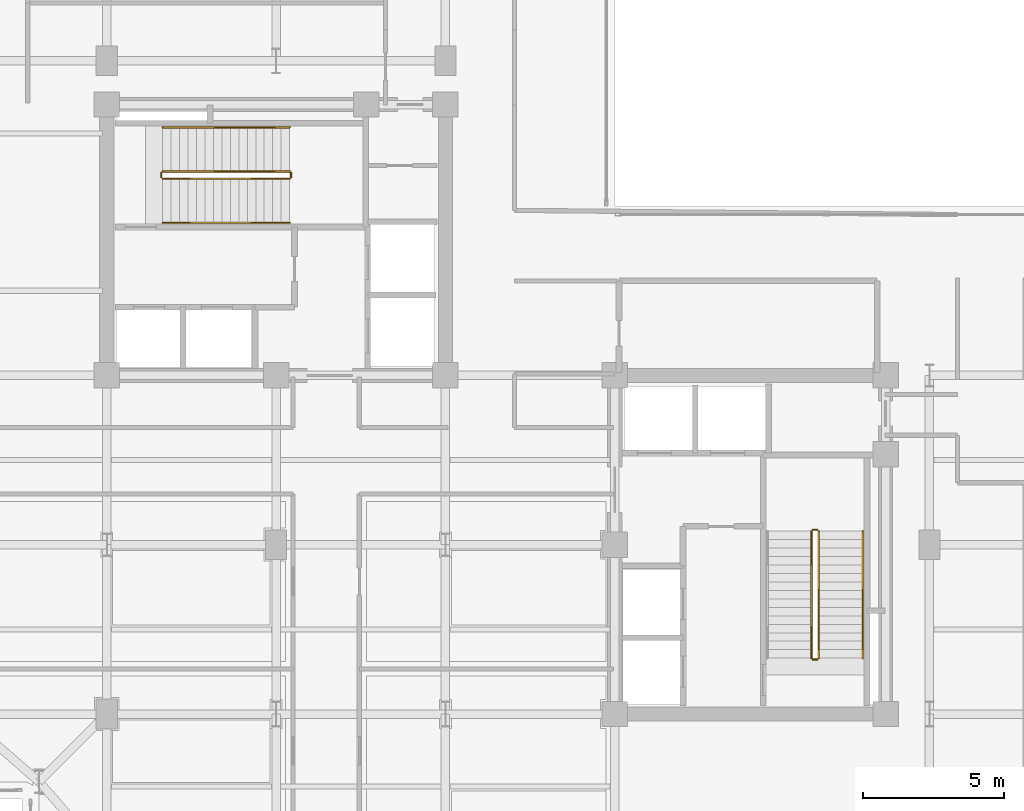
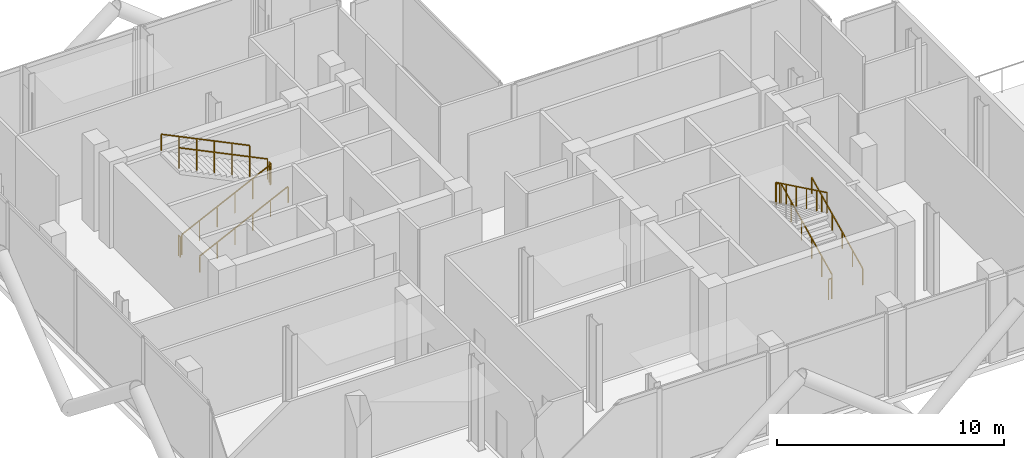
# One storey, part 18 of 19: 11 railings.
"""IFC4 building model written with IfcOpenShell, lengths in metres."""

from ifc_helpers import new_model, si_unit, direction, frame, origin, origin_2d, place, context, subcontext, project, spatial, rectangle, extrude, material, type_object, element, save


model = new_model("IFC4")

# Units and contexts
model_context = context("Model", 3, precision=1e-05, world=origin(), true_north=direction((0.0, 1.0)))
body_context = subcontext(model_context, "Body", "Model", "MODEL_VIEW")
ifc_project = project(units=[si_unit("LENGTHUNIT", "METRE"), si_unit("AREAUNIT", "SQUARE_METRE"), si_unit("VOLUMEUNIT", "CUBIC_METRE"), si_unit("PLANEANGLEUNIT", "RADIAN"), si_unit("MASSUNIT", "GRAM", prefix="KILO"), si_unit("THERMODYNAMICTEMPERATUREUNIT", "KELVIN"), si_unit("POWERUNIT", "WATT")], contexts=[model_context])

# Site, building, storey
site_placement = place(None, origin())
site = spatial("IfcSite", under=ifc_project, at=site_placement, CompositionType="ELEMENT")
building_placement = place(site_placement, origin())
building = spatial("IfcBuilding", under=site, at=building_placement, Name="Svarakhadi Broadcast Tower", CompositionType="ELEMENT")
storey_placement = place(building_placement, frame((0.0, 0.0, 204.0)))
storey = spatial("IfcBuildingStorey", under=building, at=storey_placement, Name="L50", CompositionType="ELEMENT", Elevation=204.0)

# Railings
ifc_material = material(Name="Anodised Bronze Aluminium AA 6063-T6", Category="aluminium")
railing_type_1 = type_object("IfcRailingType", Name="Guard_Stair_GR01", PredefinedType="GUARDRAIL", material=ifc_material)
railing_1_placement = place(storey_placement, frame((7.97998046875, 24.969970703125, 0.145263671875)))
element("IfcRailing", 1, at=railing_1_placement, inside=storey, type_object=railing_type_1, Name="L50 ST-01 stair guard 1", PredefinedType="GUARDRAIL", context=body_context, shape_type="SweptSolid", body=[
    extrude(rectangle(XDim=0.048095703125, YDim=0.048095703125, at=origin_2d()), frame((0.0, 0.0, 1.09619140625), z_axis=(0.899981323824, 0.0, 0.435928453727), x_axis=(0.0, 1.0, 0.0)), (0.0, 0.0, 1.0), 5.0),
    extrude(rectangle(XDim=0.0419921875, YDim=0.0419921875, at=origin_2d()), origin(), (0.0, 0.0, 1.0), 1.072021484375),
    extrude(rectangle(XDim=0.0419921875, YDim=0.0419921875, at=origin_2d()), frame((0.89990234375, 0.0, 0.43603515625)), (0.0, 0.0, 1.0), 1.072021484375),
    extrude(rectangle(XDim=0.0419921875, YDim=0.0419921875, at=origin_2d()), frame((1.800048828125, 0.0, 0.871826171875)), (0.0, 0.0, 1.0), 1.072021484375),
    extrude(rectangle(XDim=0.0419921875, YDim=0.0419921875, at=origin_2d()), frame((2.699951171875, 0.0, 1.307861328125)), (0.0, 0.0, 1.0), 1.072021484375),
    extrude(rectangle(XDim=0.0419921875, YDim=0.0419921875, at=origin_2d()), frame((3.60009765625, 0.0, 1.74365234375)), (0.0, 0.0, 1.0), 1.072021484375),
    extrude(rectangle(XDim=0.0419921875, YDim=0.0419921875, at=origin_2d()), frame((4.5, 0.0, 2.1796875)), (0.0, 0.0, 1.0), 1.072021484375),
])
railing_2_placement = place(storey_placement, frame((12.530029296875, 25.02001953125, 2.324951171875)))
element("IfcRailing", 2, at=railing_2_placement, inside=storey, type_object=railing_type_1, Name="L50 ST-01 stair guard 2", PredefinedType="GUARDRAIL", context=body_context, shape_type="SweptSolid", body=[
    extrude(rectangle(XDim=0.048095703125, YDim=0.048095703125, at=origin_2d()), frame((0.0, 0.0, 1.09619140625), z_axis=(0.0, 1.0, 0.0), x_axis=(-1.0, 0.0, 0.0)), (0.0, 0.0, 1.0), 0.159912109375),
    extrude(rectangle(XDim=0.0419921875, YDim=0.0419921875, at=origin_2d()), origin(), (0.0, 0.0, 1.0), 1.072021484375),
    extrude(rectangle(XDim=0.0419921875, YDim=0.0419921875, at=origin_2d()), frame((0.0, 0.159912109375, 0.0)), (0.0, 0.0, 1.0), 1.072021484375),
])
railing_3_placement = place(storey_placement, frame((12.47998046875, 25.22998046875, 2.47021484375)))
element("IfcRailing", 3, at=railing_3_placement, inside=storey, type_object=railing_type_1, Name="L50 ST-01 stair guard 3", PredefinedType="GUARDRAIL", context=body_context, shape_type="SweptSolid", body=[
    extrude(rectangle(XDim=0.048095703125, YDim=0.048095703125, at=origin_2d()), frame((0.0, 0.0, 1.09619140625), z_axis=(-0.899981323824, 0.0, 0.435928453727), x_axis=(0.0, -1.0, 0.0)), (0.0, 0.0, 1.0), 5.0),
    extrude(rectangle(XDim=0.0419921875, YDim=0.0419921875, at=origin_2d()), origin(), (0.0, 0.0, 1.0), 1.072021484375),
    extrude(rectangle(XDim=0.0419921875, YDim=0.0419921875, at=origin_2d()), frame((-0.89990234375, 0.0, 0.43603515625)), (0.0, 0.0, 1.0), 1.072021484375),
    extrude(rectangle(XDim=0.0419921875, YDim=0.0419921875, at=origin_2d()), frame((-1.800048828125, 0.0, 0.871826171875)), (0.0, 0.0, 1.0), 1.072021484375),
    extrude(rectangle(XDim=0.0419921875, YDim=0.0419921875, at=origin_2d()), frame((-2.699951171875, 0.0, 1.307861328125)), (0.0, 0.0, 1.0), 1.072021484375),
    extrude(rectangle(XDim=0.0419921875, YDim=0.0419921875, at=origin_2d()), frame((-3.60009765625, 0.0, 1.74365234375)), (0.0, 0.0, 1.0), 1.072021484375),
    extrude(rectangle(XDim=0.0419921875, YDim=0.0419921875, at=origin_2d()), frame((-4.5, 0.0, 2.1796875)), (0.0, 0.0, 1.0), 1.072021484375),
])
railing_4_placement = place(storey_placement, frame((7.929931640625, 25.02001953125, 0.0)))
element("IfcRailing", 4, at=railing_4_placement, inside=storey, type_object=railing_type_1, Name="L50 ST-01 stair guard 4", PredefinedType="GUARDRAIL", context=body_context, shape_type="SweptSolid", body=[
    extrude(rectangle(XDim=0.048095703125, YDim=0.048095703125, at=origin_2d()), frame((0.0, 0.0, 1.09619140625), z_axis=(0.0, 1.0, 0.0), x_axis=(-1.0, 0.0, 0.0)), (0.0, 0.0, 1.0), 0.159912109375),
    extrude(rectangle(XDim=0.0419921875, YDim=0.0419921875, at=origin_2d()), origin(), (0.0, 0.0, 1.0), 1.072021484375),
    extrude(rectangle(XDim=0.0419921875, YDim=0.0419921875, at=origin_2d()), frame((0.0, 0.159912109375, 0.0)), (0.0, 0.0, 1.0), 1.072021484375),
])
railing_5_placement = place(storey_placement, frame((31.22998046875, 7.97998046875, 0.145263671875)))
element("IfcRailing", 5, at=railing_5_placement, inside=storey, type_object=railing_type_1, Name="L50 ST-02 stair guard 1", PredefinedType="GUARDRAIL", context=body_context, shape_type="SweptSolid", body=[
    extrude(rectangle(XDim=0.048095703125, YDim=0.048095703125, at=origin_2d()), frame((0.0, 0.0, 1.09619140625), z_axis=(0.0, 0.899981323824, 0.435928453727), x_axis=(-1.0, 0.0, 0.0)), (0.0, 0.0, 1.0), 5.0),
    extrude(rectangle(XDim=0.0419921875, YDim=0.0419921875, at=origin_2d()), origin(), (0.0, 0.0, 1.0), 1.072021484375),
    extrude(rectangle(XDim=0.0419921875, YDim=0.0419921875, at=origin_2d()), frame((0.0, 0.89990234375, 0.43603515625)), (0.0, 0.0, 1.0), 1.072021484375),
    extrude(rectangle(XDim=0.0419921875, YDim=0.0419921875, at=origin_2d()), frame((0.0, 1.800048828125, 0.871826171875)), (0.0, 0.0, 1.0), 1.072021484375),
    extrude(rectangle(XDim=0.0419921875, YDim=0.0419921875, at=origin_2d()), frame((0.0, 2.699951171875, 1.307861328125)), (0.0, 0.0, 1.0), 1.072021484375),
    extrude(rectangle(XDim=0.0419921875, YDim=0.0419921875, at=origin_2d()), frame((0.0, 3.60009765625, 1.74365234375)), (0.0, 0.0, 1.0), 1.072021484375),
    extrude(rectangle(XDim=0.0419921875, YDim=0.0419921875, at=origin_2d()), frame((0.0, 4.5, 2.1796875)), (0.0, 0.0, 1.0), 1.072021484375),
])
railing_6_placement = place(storey_placement, frame((31.179931640625, 12.530029296875, 2.324951171875)))
element("IfcRailing", 6, at=railing_6_placement, inside=storey, type_object=railing_type_1, Name="L50 ST-02 stair guard 2", PredefinedType="GUARDRAIL", context=body_context, shape_type="SweptSolid", body=[
    extrude(rectangle(XDim=0.048095703125, YDim=0.048095703125, at=origin_2d()), frame((0.0, 0.0, 1.09619140625), z_axis=(-1.0, 0.0, 0.0), x_axis=(0.0, -1.0, 0.0)), (0.0, 0.0, 1.0), 0.159912109375),
    extrude(rectangle(XDim=0.0419921875, YDim=0.0419921875, at=origin_2d()), origin(), (0.0, 0.0, 1.0), 1.072021484375),
    extrude(rectangle(XDim=0.0419921875, YDim=0.0419921875, at=origin_2d()), frame((-0.159912109375, 0.0, 0.0)), (0.0, 0.0, 1.0), 1.072021484375),
])
railing_7_placement = place(storey_placement, frame((30.969970703125, 12.47998046875, 2.47021484375)))
element("IfcRailing", 7, at=railing_7_placement, inside=storey, type_object=railing_type_1, Name="L50 ST-02 stair guard 3", PredefinedType="GUARDRAIL", context=body_context, shape_type="SweptSolid", body=[
    extrude(rectangle(XDim=0.048095703125, YDim=0.048095703125, at=origin_2d()), frame((0.0, 0.0, 1.09619140625), z_axis=(0.0, -0.899981323824, 0.435928453727), x_axis=(1.0, 0.0, 0.0)), (0.0, 0.0, 1.0), 5.0),
    extrude(rectangle(XDim=0.0419921875, YDim=0.0419921875, at=origin_2d()), origin(), (0.0, 0.0, 1.0), 1.072021484375),
    extrude(rectangle(XDim=0.0419921875, YDim=0.0419921875, at=origin_2d()), frame((0.0, -0.89990234375, 0.43603515625)), (0.0, 0.0, 1.0), 1.072021484375),
    extrude(rectangle(XDim=0.0419921875, YDim=0.0419921875, at=origin_2d()), frame((0.0, -1.800048828125, 0.871826171875)), (0.0, 0.0, 1.0), 1.072021484375),
    extrude(rectangle(XDim=0.0419921875, YDim=0.0419921875, at=origin_2d()), frame((0.0, -2.699951171875, 1.307861328125)), (0.0, 0.0, 1.0), 1.072021484375),
    extrude(rectangle(XDim=0.0419921875, YDim=0.0419921875, at=origin_2d()), frame((0.0, -3.60009765625, 1.74365234375)), (0.0, 0.0, 1.0), 1.072021484375),
    extrude(rectangle(XDim=0.0419921875, YDim=0.0419921875, at=origin_2d()), frame((0.0, -4.5, 2.1796875)), (0.0, 0.0, 1.0), 1.072021484375),
])
railing_8_placement = place(storey_placement, frame((31.179931640625, 7.929931640625, 0.0)))
element("IfcRailing", 8, at=railing_8_placement, inside=storey, type_object=railing_type_1, Name="L50 ST-02 stair guard 4", PredefinedType="GUARDRAIL", context=body_context, shape_type="SweptSolid", body=[
    extrude(rectangle(XDim=0.048095703125, YDim=0.048095703125, at=origin_2d()), frame((0.0, 0.0, 1.09619140625), z_axis=(-1.0, 0.0, 0.0), x_axis=(0.0, -1.0, 0.0)), (0.0, 0.0, 1.0), 0.159912109375),
    extrude(rectangle(XDim=0.0419921875, YDim=0.0419921875, at=origin_2d()), origin(), (0.0, 0.0, 1.0), 1.072021484375),
    extrude(rectangle(XDim=0.0419921875, YDim=0.0419921875, at=origin_2d()), frame((-0.159912109375, 0.0, 0.0)), (0.0, 0.0, 1.0), 1.072021484375),
])
railing_type_2 = type_object("IfcRailingType", Name="Handrail_Stair_HR01", PredefinedType="HANDRAIL", material=ifc_material)
railing_9_placement = place(storey_placement, frame((7.97998046875, 23.409912109375, 0.145263671875)))
element("IfcRailing", 9, at=railing_9_placement, inside=storey, type_object=railing_type_2, Name="L50 ST-01 stair handrail 1", PredefinedType="HANDRAIL", context=body_context, shape_type="SweptSolid", body=[
    extrude(rectangle(XDim=0.048095703125, YDim=0.048095703125, at=origin_2d()), frame((0.0, 0.0, 0.8759765625), z_axis=(0.899981323824, 0.0, 0.435928453727), x_axis=(0.0, 1.0, 0.0)), (0.0, 0.0, 1.0), 5.0),
    extrude(rectangle(XDim=0.0419921875, YDim=0.0419921875, at=origin_2d()), origin(), (0.0, 0.0, 1.0), 0.851806640625),
    extrude(rectangle(XDim=0.0419921875, YDim=0.0419921875, at=origin_2d()), frame((0.89990234375, 0.0, 0.43603515625)), (0.0, 0.0, 1.0), 0.851806640625),
    extrude(rectangle(XDim=0.0419921875, YDim=0.0419921875, at=origin_2d()), frame((1.800048828125, 0.0, 0.871826171875)), (0.0, 0.0, 1.0), 0.851806640625),
    extrude(rectangle(XDim=0.0419921875, YDim=0.0419921875, at=origin_2d()), frame((2.699951171875, 0.0, 1.307861328125)), (0.0, 0.0, 1.0), 0.851806640625),
    extrude(rectangle(XDim=0.0419921875, YDim=0.0419921875, at=origin_2d()), frame((3.60009765625, 0.0, 1.74365234375)), (0.0, 0.0, 1.0), 0.851806640625),
    extrude(rectangle(XDim=0.0419921875, YDim=0.0419921875, at=origin_2d()), frame((4.5, 0.0, 2.1796875)), (0.0, 0.0, 1.0), 0.851806640625),
])
railing_10_placement = place(storey_placement, frame((12.47998046875, 26.7900390625, 2.47021484375)))
element("IfcRailing", 10, at=railing_10_placement, inside=storey, type_object=railing_type_2, Name="L50 ST-01 stair handrail 2", PredefinedType="HANDRAIL", context=body_context, shape_type="SweptSolid", body=[
    extrude(rectangle(XDim=0.048095703125, YDim=0.048095703125, at=origin_2d()), frame((0.0, 0.0, 0.8759765625), z_axis=(-0.899981323824, 0.0, 0.435928453727), x_axis=(0.0, -1.0, 0.0)), (0.0, 0.0, 1.0), 5.0),
    extrude(rectangle(XDim=0.0419921875, YDim=0.0419921875, at=origin_2d()), origin(), (0.0, 0.0, 1.0), 0.851806640625),
    extrude(rectangle(XDim=0.0419921875, YDim=0.0419921875, at=origin_2d()), frame((-0.89990234375, 0.0, 0.43603515625)), (0.0, 0.0, 1.0), 0.851806640625),
    extrude(rectangle(XDim=0.0419921875, YDim=0.0419921875, at=origin_2d()), frame((-1.800048828125, 0.0, 0.871826171875)), (0.0, 0.0, 1.0), 0.851806640625),
    extrude(rectangle(XDim=0.0419921875, YDim=0.0419921875, at=origin_2d()), frame((-2.699951171875, 0.0, 1.307861328125)), (0.0, 0.0, 1.0), 0.851806640625),
    extrude(rectangle(XDim=0.0419921875, YDim=0.0419921875, at=origin_2d()), frame((-3.60009765625, 0.0, 1.74365234375)), (0.0, 0.0, 1.0), 0.851806640625),
    extrude(rectangle(XDim=0.0419921875, YDim=0.0419921875, at=origin_2d()), frame((-4.5, 0.0, 2.1796875)), (0.0, 0.0, 1.0), 0.851806640625),
])
railing_11_placement = place(storey_placement, frame((32.7900390625, 7.97998046875, 0.145263671875)))
element("IfcRailing", 11, at=railing_11_placement, inside=storey, type_object=railing_type_2, Name="L50 ST-02 stair handrail 1", PredefinedType="HANDRAIL", context=body_context, shape_type="SweptSolid", body=[
    extrude(rectangle(XDim=0.048095703125, YDim=0.048095703125, at=origin_2d()), frame((0.0, 0.0, 0.8759765625), z_axis=(0.0, 0.899981323824, 0.435928453727), x_axis=(-1.0, 0.0, 0.0)), (0.0, 0.0, 1.0), 5.0),
    extrude(rectangle(XDim=0.0419921875, YDim=0.0419921875, at=origin_2d()), origin(), (0.0, 0.0, 1.0), 0.851806640625),
    extrude(rectangle(XDim=0.0419921875, YDim=0.0419921875, at=origin_2d()), frame((0.0, 0.89990234375, 0.43603515625)), (0.0, 0.0, 1.0), 0.851806640625),
    extrude(rectangle(XDim=0.0419921875, YDim=0.0419921875, at=origin_2d()), frame((0.0, 1.800048828125, 0.871826171875)), (0.0, 0.0, 1.0), 0.851806640625),
    extrude(rectangle(XDim=0.0419921875, YDim=0.0419921875, at=origin_2d()), frame((0.0, 2.699951171875, 1.307861328125)), (0.0, 0.0, 1.0), 0.851806640625),
    extrude(rectangle(XDim=0.0419921875, YDim=0.0419921875, at=origin_2d()), frame((0.0, 3.60009765625, 1.74365234375)), (0.0, 0.0, 1.0), 0.851806640625),
    extrude(rectangle(XDim=0.0419921875, YDim=0.0419921875, at=origin_2d()), frame((0.0, 4.5, 2.1796875)), (0.0, 0.0, 1.0), 0.851806640625),
])

save(model, "model.ifc")
